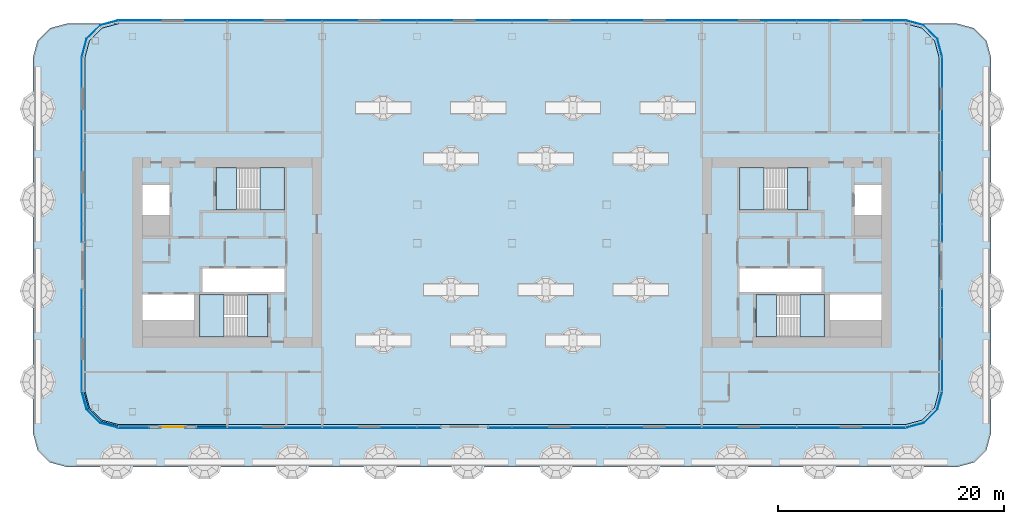
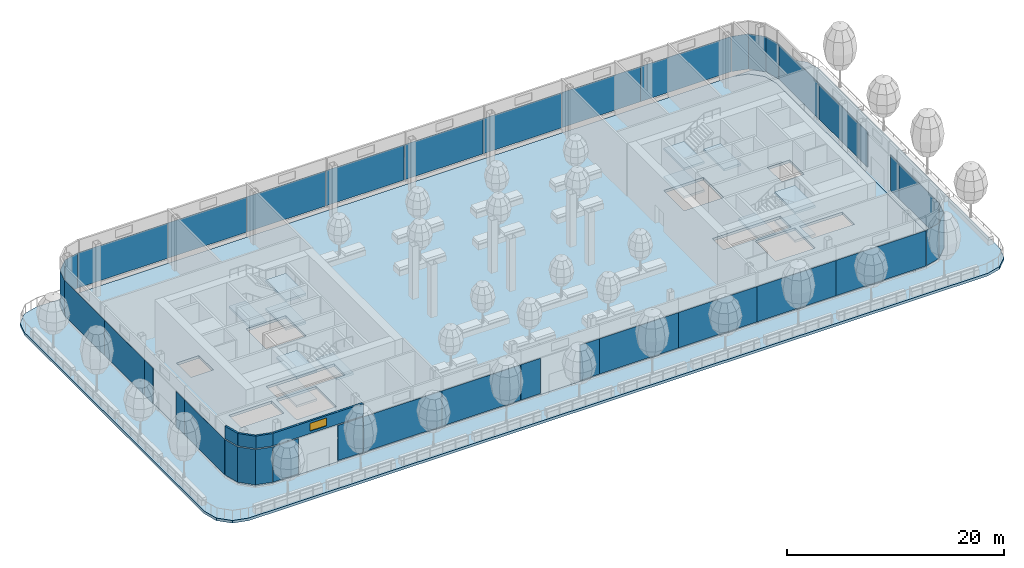
# One storey, part 9 of 41: 32 plates, 14 slabs, 4 walls, 1 window, 1 opening, 12 elements without a shape of their own.
"""IFC4 building model written with IfcOpenShell, lengths in metres."""

from ifc_helpers import new_model, si_unit, direction, frame, frame_2d, origin, origin_2d, place, context, subcontext, project, spatial, polyline, rectangle, outline, extrude, material, layer, layer_set, type_object, element, fill, aggregate, save


model = new_model("IFC4")

# Units and contexts
model_context = context("Model", 3, precision=1e-05, world=origin(), true_north=direction((0.0, 1.0)))
body_context = subcontext(model_context, "Body", "Model", "MODEL_VIEW")
ifc_project = project(units=[si_unit("LENGTHUNIT", "METRE"), si_unit("AREAUNIT", "SQUARE_METRE"), si_unit("VOLUMEUNIT", "CUBIC_METRE"), si_unit("PLANEANGLEUNIT", "RADIAN"), si_unit("MASSUNIT", "GRAM", prefix="KILO")], contexts=[model_context])

# Site, building, storey
site_placement = place(None, origin())
site = spatial("IfcSite", under=ifc_project, at=site_placement, CompositionType="ELEMENT")
building_placement = place(site_placement, origin())
building = spatial("IfcBuilding", under=site, at=building_placement, Name="Hakoniwa Tower and Hamabe Station Hall", CompositionType="ELEMENT")
storey_placement = place(building_placement, frame((0.0, 0.0, 180.199951171875)))
storey = spatial("IfcBuildingStorey", under=building, at=storey_placement, Name="L51", CompositionType="ELEMENT", Elevation=180.199951171875)

# Stair, slabs
ifc_material_1 = material(Name="Concrete C40", Category="concrete")
stair_type = type_object("IfcStairType", Name="ESCAPE STAIR 1800", PredefinedType="HALF_TURN_STAIR", material=ifc_material_1)
stair_1_placement = place(storey_placement, origin())
stair_1 = element("IfcStair", 1, at=stair_1_placement, inside=storey, type_object=stair_type, Name="Escape stair ST-1 L51", PredefinedType="HALF_TURN_STAIR")
ifc_material_2 = material(Name="Concrete C40", Category="concrete")
ifc_layer_1 = layer(ifc_material_2, 0.25)
ifc_layer_set_1 = layer_set([ifc_layer_1], Name="CORE STAIR LANDING 250")
slab_type_1 = type_object("IfcSlabType", Name="CORE STAIR LANDING 250", PredefinedType="LANDING", material=ifc_layer_set_1)
slab_1_placement = place(storey_placement, frame((0.0, 0.0, 1.35009765625)))
slab_1 = element("IfcSlab", 2, at=slab_1_placement, type_object=slab_type_1, Name="ST-1 landing 1", PredefinedType="LANDING", context=body_context, shape_type="SweptSolid", body=[
    extrude(outline(polyline([(-22.320068359375, 3.75), (-20.14990234375, 3.75), (-20.14990234375, 7.5), (-22.320068359375, 7.5), (-22.320068359375, 3.75)])), origin(), (0.0, 0.0, 1.0), 0.25),
])
slab_2_placement = place(storey_placement, frame((0.0, 0.0, 2.949951171875)))
slab_2 = element("IfcSlab", 3, at=slab_2_placement, type_object=slab_type_1, Name="ST-1 landing 2", PredefinedType="LANDING", context=body_context, shape_type="SweptSolid", body=[
    extrude(outline(polyline([(-26.199951171875, 3.75), (-24.39990234375, 3.75), (-24.39990234375, 7.5), (-26.199951171875, 7.5), (-26.199951171875, 3.75)])), origin(), (0.0, 0.0, 1.0), 0.25),
])
slab_3_placement = place(storey_placement, frame((0.0, 0.0, 4.550048828125)))
slab_3 = element("IfcSlab", 4, at=slab_3_placement, type_object=slab_type_1, Name="ST-1 landing 3", PredefinedType="LANDING", context=body_context, shape_type="SweptSolid", body=[
    extrude(outline(polyline([(-22.320068359375, 3.75), (-20.14990234375, 3.75), (-20.14990234375, 7.5), (-22.320068359375, 7.5), (-22.320068359375, 3.75)])), origin(), (0.0, 0.0, 1.0), 0.25),
])
aggregate(stair_1, [slab_1, slab_2, slab_3])

stair_2_placement = place(storey_placement, origin())
stair_2 = element("IfcStair", 5, at=stair_2_placement, inside=storey, type_object=stair_type, Name="Escape stair ST-2 L51", PredefinedType="HALF_TURN_STAIR")
slab_4_placement = place(storey_placement, frame((0.0, 0.0, 1.35009765625)))
slab_4 = element("IfcSlab", 6, at=slab_4_placement, type_object=slab_type_1, Name="ST-2 landing 1", PredefinedType="LANDING", context=body_context, shape_type="SweptSolid", body=[
    extrude(outline(polyline([(-25.47998046875, -7.5), (-27.64990234375, -7.5), (-27.64990234375, -3.75), (-25.47998046875, -3.75), (-25.47998046875, -7.5)])), origin(), (0.0, 0.0, 1.0), 0.25),
])
slab_5_placement = place(storey_placement, frame((0.0, 0.0, 2.949951171875)))
slab_5 = element("IfcSlab", 7, at=slab_5_placement, type_object=slab_type_1, Name="ST-2 landing 2", PredefinedType="LANDING", context=body_context, shape_type="SweptSolid", body=[
    extrude(outline(polyline([(-21.60009765625, -7.5), (-23.39990234375, -7.5), (-23.39990234375, -3.75), (-21.60009765625, -3.75), (-21.60009765625, -7.5)])), origin(), (0.0, 0.0, 1.0), 0.25),
])
slab_6_placement = place(storey_placement, frame((0.0, 0.0, 4.550048828125)))
slab_6 = element("IfcSlab", 8, at=slab_6_placement, type_object=slab_type_1, Name="ST-2 landing 3", PredefinedType="LANDING", context=body_context, shape_type="SweptSolid", body=[
    extrude(outline(polyline([(-25.47998046875, -7.5), (-27.64990234375, -7.5), (-27.64990234375, -3.75), (-25.47998046875, -3.75), (-25.47998046875, -7.5)])), origin(), (0.0, 0.0, 1.0), 0.25),
])
aggregate(stair_2, [slab_4, slab_5, slab_6])

stair_3_placement = place(storey_placement, origin())
stair_3 = element("IfcStair", 9, at=stair_3_placement, inside=storey, type_object=stair_type, Name="Escape stair ST-3 L51", PredefinedType="HALF_TURN_STAIR")
slab_7_placement = place(storey_placement, frame((0.0, 0.0, 1.35009765625)))
slab_7 = element("IfcSlab", 10, at=slab_7_placement, type_object=slab_type_1, Name="ST-3 landing 1", PredefinedType="LANDING", context=body_context, shape_type="SweptSolid", body=[
    extrude(outline(polyline([(22.320068359375, 3.75), (20.14990234375, 3.75), (20.14990234375, 7.5), (22.320068359375, 7.5), (22.320068359375, 3.75)])), origin(), (0.0, 0.0, 1.0), 0.25),
])
slab_8_placement = place(storey_placement, frame((0.0, 0.0, 2.949951171875)))
slab_8 = element("IfcSlab", 11, at=slab_8_placement, type_object=slab_type_1, Name="ST-3 landing 2", PredefinedType="LANDING", context=body_context, shape_type="SweptSolid", body=[
    extrude(outline(polyline([(26.199951171875, 3.75), (24.39990234375, 3.75), (24.39990234375, 7.5), (26.199951171875, 7.5), (26.199951171875, 3.75)])), origin(), (0.0, 0.0, 1.0), 0.25),
])
slab_9_placement = place(storey_placement, frame((0.0, 0.0, 4.550048828125)))
slab_9 = element("IfcSlab", 12, at=slab_9_placement, type_object=slab_type_1, Name="ST-3 landing 3", PredefinedType="LANDING", context=body_context, shape_type="SweptSolid", body=[
    extrude(outline(polyline([(22.320068359375, 3.75), (20.14990234375, 3.75), (20.14990234375, 7.5), (22.320068359375, 7.5), (22.320068359375, 3.75)])), origin(), (0.0, 0.0, 1.0), 0.25),
])
aggregate(stair_3, [slab_7, slab_8, slab_9])

stair_4_placement = place(storey_placement, origin())
stair_4 = element("IfcStair", 13, at=stair_4_placement, inside=storey, type_object=stair_type, Name="Escape stair ST-4 L51", PredefinedType="HALF_TURN_STAIR")
slab_10_placement = place(storey_placement, frame((0.0, 0.0, 1.35009765625)))
slab_10 = element("IfcSlab", 14, at=slab_10_placement, type_object=slab_type_1, Name="ST-4 landing 1", PredefinedType="LANDING", context=body_context, shape_type="SweptSolid", body=[
    extrude(outline(polyline([(25.47998046875, -7.5), (27.64990234375, -7.5), (27.64990234375, -3.75), (25.47998046875, -3.75), (25.47998046875, -7.5)])), origin(), (0.0, 0.0, 1.0), 0.25),
])
slab_11_placement = place(storey_placement, frame((0.0, 0.0, 2.949951171875)))
slab_11 = element("IfcSlab", 15, at=slab_11_placement, type_object=slab_type_1, Name="ST-4 landing 2", PredefinedType="LANDING", context=body_context, shape_type="SweptSolid", body=[
    extrude(outline(polyline([(21.60009765625, -7.5), (23.39990234375, -7.5), (23.39990234375, -3.75), (21.60009765625, -3.75), (21.60009765625, -7.5)])), origin(), (0.0, 0.0, 1.0), 0.25),
])
slab_12_placement = place(storey_placement, frame((0.0, 0.0, 4.550048828125)))
slab_12 = element("IfcSlab", 16, at=slab_12_placement, type_object=slab_type_1, Name="ST-4 landing 3", PredefinedType="LANDING", context=body_context, shape_type="SweptSolid", body=[
    extrude(outline(polyline([(25.47998046875, -7.5), (27.64990234375, -7.5), (27.64990234375, -3.75), (25.47998046875, -3.75), (25.47998046875, -7.5)])), origin(), (0.0, 0.0, 1.0), 0.25),
])
aggregate(stair_4, [slab_10, slab_11, slab_12])

# Curtain wall, plates
ifc_material_3 = material(Name="Dark low-e laminated glass", Category="glass")
ifc_layer_2 = layer(ifc_material_3, 0.199951171875)
ifc_layer_set_2 = layer_set([ifc_layer_2], Name="CW-2 SKY GARDEN")
curtain_wall_type = type_object("IfcCurtainWallType", Name="CW-2 SKY GARDEN", PredefinedType="NOTDEFINED", material=ifc_layer_set_2)
curtain_wall_1_placement = place(storey_placement, origin())
curtain_wall_1 = element("IfcCurtainWall", 17, at=curtain_wall_1_placement, inside=storey, type_object=curtain_wall_type, Name="CW-2 curtain wall", PredefinedType="NOTDEFINED")
ifc_material_4 = material(Name="Dark low-e laminated glass", Category="glass")
ifc_layer_3 = layer(ifc_material_4, 0.031982421875)
ifc_layer_set_3 = layer_set([ifc_layer_3], Name="CW-2 GARDEN GLASS UNIT")
plate_type = type_object("IfcPlateType", Name="CW-2 GARDEN GLASS UNIT", PredefinedType="CURTAIN_PANEL", material=ifc_layer_set_3)
plate_1_placement = place(storey_placement, frame((38.0859375, -8.592041015625, 0.35009765625), z_axis=(0.0, 0.0, 1.0), x_axis=(0.0, 1.0, 0.0)))
plate_1 = element("IfcPlate", 18, at=plate_1_placement, type_object=plate_type, Name="CW-2 glass unit", PredefinedType="CURTAIN_PANEL", context=body_context, shape_type="SweptSolid", body=[
    extrude(rectangle(XDim=7.374755859375, YDim=0.031982421875, at=origin_2d()), origin(), (0.0, 0.0, 1.0), 3.97998046875),
])
plate_2_placement = place(storey_placement, frame((38.0859375, -4.095947265625, 0.35009765625), z_axis=(0.0, 0.0, 1.0), x_axis=(0.0, 1.0, 0.0)))
plate_2 = element("IfcPlate", 19, at=plate_2_placement, type_object=plate_type, Name="CW-2 glass unit", PredefinedType="CURTAIN_PANEL", context=body_context, shape_type="SweptSolid", body=[
    extrude(rectangle(XDim=1.577392578125, YDim=0.031982421875, at=origin_2d()), origin(), (0.0, 0.0, 1.0), 3.97998046875),
])
plate_3_placement = place(storey_placement, frame((38.0859375, 1.701416015625, 0.35009765625), z_axis=(0.0, 0.0, 1.0), x_axis=(0.0, 1.0, 0.0)))
plate_3 = element("IfcPlate", 20, at=plate_3_placement, type_object=plate_type, Name="CW-2 glass unit", PredefinedType="CURTAIN_PANEL", context=body_context, shape_type="SweptSolid", body=[
    extrude(rectangle(XDim=1.577392578125, YDim=0.031982421875, at=origin_2d()), origin(), (0.0, 0.0, 1.0), 3.97998046875),
])
plate_4_placement = place(storey_placement, frame((38.0859375, 6.197265625, 0.35009765625), z_axis=(0.0, 0.0, 1.0), x_axis=(0.0, 1.0, 0.0)))
plate_4 = element("IfcPlate", 21, at=plate_4_placement, type_object=plate_type, Name="CW-2 glass unit", PredefinedType="CURTAIN_PANEL", context=body_context, shape_type="SweptSolid", body=[
    extrude(rectangle(XDim=7.374755859375, YDim=0.031982421875, at=origin_2d()), origin(), (0.0, 0.0, 1.0), 3.97998046875),
])
plate_5_placement = place(storey_placement, frame((38.0859375, 13.592041015625, 0.35009765625), z_axis=(0.0, 0.0, 1.0), x_axis=(0.0, 1.0, 0.0)))
plate_5 = element("IfcPlate", 22, at=plate_5_placement, type_object=plate_type, Name="CW-2 glass unit", PredefinedType="CURTAIN_PANEL", context=body_context, shape_type="SweptSolid", body=[
    extrude(rectangle(XDim=7.374755859375, YDim=0.031982421875, at=origin_2d()), origin(), (0.0, 0.0, 1.0), 3.97998046875),
])
aggregate(curtain_wall_1, [plate_1, plate_2, plate_3, plate_4, plate_5])

# Curtain wall, plate
curtain_wall_2_placement = place(storey_placement, origin())
curtain_wall_2 = element("IfcCurtainWall", 23, at=curtain_wall_2_placement, inside=storey, type_object=curtain_wall_type, Name="CW-2 curtain wall", PredefinedType="NOTDEFINED")
plate_6_placement = place(storey_placement, frame((0.0, 0.0, 0.35009765625)))
plate_6 = element("IfcPlate", 24, at=plate_6_placement, type_object=plate_type, Name="CW-2 curved corner unit", PredefinedType="CURTAIN_PANEL", context=body_context, shape_type="SweptSolid", body=[
    extrude(outline(polyline([(38.089599609375, 17.328125), (37.6669921875, 18.9052734375), (36.455322265625, 20.116943359375), (34.878173828125, 20.53955078125), (34.870849609375, 20.5126953125), (36.44091796875, 20.092041015625), (37.641845703125, 18.890869140625), (38.0625, 17.32080078125), (38.089599609375, 17.328125)])), origin(), (0.0, 0.0, 1.0), 3.97998046875),
])
aggregate(curtain_wall_2, [plate_6])

# Curtain wall, plates
curtain_wall_3_placement = place(storey_placement, origin())
curtain_wall_3 = element("IfcCurtainWall", 25, at=curtain_wall_3_placement, inside=storey, type_object=curtain_wall_type, Name="CW-2 curtain wall", PredefinedType="NOTDEFINED")
plate_7_placement = place(storey_placement, frame((30.019775390625, 20.535888671875, 0.35009765625), z_axis=(0.0, 0.0, 1.0), x_axis=(-1.0, 0.0, 0.0)))
plate_7 = element("IfcPlate", 26, at=plate_7_placement, type_object=plate_type, Name="CW-2 glass unit", PredefinedType="CURTAIN_PANEL", context=body_context, shape_type="SweptSolid", body=[
    extrude(rectangle(XDim=9.619384765625, YDim=0.031982421875, at=origin_2d()), origin(), (0.0, 0.0, 1.0), 3.97998046875),
])
plate_8_placement = place(storey_placement, frame((21.0, 20.535888671875, 0.35009765625), z_axis=(0.0, 0.0, 1.0), x_axis=(-1.0, 0.0, 0.0)))
plate_8 = element("IfcPlate", 27, at=plate_8_placement, type_object=plate_type, Name="CW-2 glass unit", PredefinedType="CURTAIN_PANEL", context=body_context, shape_type="SweptSolid", body=[
    extrude(rectangle(XDim=8.3798828125, YDim=0.031982421875, at=origin_2d()), origin(), (0.0, 0.0, 1.0), 3.97998046875),
])
plate_9_placement = place(storey_placement, frame((12.60009765625, 20.535888671875, 0.35009765625), z_axis=(0.0, 0.0, 1.0), x_axis=(-1.0, 0.0, 0.0)))
plate_9 = element("IfcPlate", 28, at=plate_9_placement, type_object=plate_type, Name="CW-2 glass unit", PredefinedType="CURTAIN_PANEL", context=body_context, shape_type="SweptSolid", body=[
    extrude(rectangle(XDim=8.3798828125, YDim=0.031982421875, at=origin_2d()), origin(), (0.0, 0.0, 1.0), 3.97998046875),
])
plate_10_placement = place(storey_placement, frame((4.199951171875, 20.535888671875, 0.35009765625), z_axis=(0.0, 0.0, 1.0), x_axis=(-1.0, 0.0, 0.0)))
plate_10 = element("IfcPlate", 29, at=plate_10_placement, type_object=plate_type, Name="CW-2 glass unit", PredefinedType="CURTAIN_PANEL", context=body_context, shape_type="SweptSolid", body=[
    extrude(rectangle(XDim=8.3798828125, YDim=0.031982421875, at=origin_2d()), origin(), (0.0, 0.0, 1.0), 3.97998046875),
])
plate_11_placement = place(storey_placement, frame((-4.199951171875, 20.535888671875, 0.35009765625), z_axis=(0.0, 0.0, 1.0), x_axis=(-1.0, 0.0, 0.0)))
plate_11 = element("IfcPlate", 30, at=plate_11_placement, type_object=plate_type, Name="CW-2 glass unit", PredefinedType="CURTAIN_PANEL", context=body_context, shape_type="SweptSolid", body=[
    extrude(rectangle(XDim=8.3798828125, YDim=0.031982421875, at=origin_2d()), origin(), (0.0, 0.0, 1.0), 3.97998046875),
])
plate_12_placement = place(storey_placement, frame((-12.60009765625, 20.535888671875, 0.35009765625), z_axis=(0.0, 0.0, 1.0), x_axis=(-1.0, 0.0, 0.0)))
plate_12 = element("IfcPlate", 31, at=plate_12_placement, type_object=plate_type, Name="CW-2 glass unit", PredefinedType="CURTAIN_PANEL", context=body_context, shape_type="SweptSolid", body=[
    extrude(rectangle(XDim=8.3798828125, YDim=0.031982421875, at=origin_2d()), origin(), (0.0, 0.0, 1.0), 3.97998046875),
])
plate_13_placement = place(storey_placement, frame((-21.0, 20.535888671875, 0.35009765625), z_axis=(0.0, 0.0, 1.0), x_axis=(-1.0, 0.0, 0.0)))
plate_13 = element("IfcPlate", 32, at=plate_13_placement, type_object=plate_type, Name="CW-2 glass unit", PredefinedType="CURTAIN_PANEL", context=body_context, shape_type="SweptSolid", body=[
    extrude(rectangle(XDim=8.3798828125, YDim=0.031982421875, at=origin_2d()), origin(), (0.0, 0.0, 1.0), 3.97998046875),
])
plate_14_placement = place(storey_placement, frame((-30.019775390625, 20.535888671875, 0.35009765625), z_axis=(0.0, 0.0, 1.0), x_axis=(-1.0, 0.0, 0.0)))
plate_14 = element("IfcPlate", 33, at=plate_14_placement, type_object=plate_type, Name="CW-2 glass unit", PredefinedType="CURTAIN_PANEL", context=body_context, shape_type="SweptSolid", body=[
    extrude(rectangle(XDim=9.619384765625, YDim=0.031982421875, at=origin_2d()), origin(), (0.0, 0.0, 1.0), 3.97998046875),
])
aggregate(curtain_wall_3, [plate_7, plate_8, plate_9, plate_10, plate_11, plate_12, plate_13, plate_14])

# Curtain wall, plate
curtain_wall_4_placement = place(storey_placement, origin())
curtain_wall_4 = element("IfcCurtainWall", 34, at=curtain_wall_4_placement, inside=storey, type_object=curtain_wall_type, Name="CW-2 curtain wall", PredefinedType="NOTDEFINED")
plate_15_placement = place(storey_placement, frame((0.0, 0.0, 0.35009765625)))
plate_15 = element("IfcPlate", 35, at=plate_15_placement, type_object=plate_type, Name="CW-2 curved corner unit", PredefinedType="CURTAIN_PANEL", context=body_context, shape_type="SweptSolid", body=[
    extrude(outline(polyline([(-34.878173828125, 20.53955078125), (-36.455322265625, 20.116943359375), (-37.6669921875, 18.9052734375), (-38.089599609375, 17.328125), (-38.0625, 17.32080078125), (-37.641845703125, 18.890869140625), (-36.44091796875, 20.092041015625), (-34.870849609375, 20.5126953125), (-34.878173828125, 20.53955078125)])), origin(), (0.0, 0.0, 1.0), 3.97998046875),
])
aggregate(curtain_wall_4, [plate_15])

# Curtain wall, plates
curtain_wall_5_placement = place(storey_placement, origin())
curtain_wall_5 = element("IfcCurtainWall", 36, at=curtain_wall_5_placement, inside=storey, type_object=curtain_wall_type, Name="CW-2 curtain wall", PredefinedType="NOTDEFINED")
plate_16_placement = place(storey_placement, frame((-38.0859375, 13.592041015625, 0.35009765625), z_axis=(0.0, 0.0, 1.0), x_axis=(0.0, -1.0, 0.0)))
plate_16 = element("IfcPlate", 37, at=plate_16_placement, type_object=plate_type, Name="CW-2 glass unit", PredefinedType="CURTAIN_PANEL", context=body_context, shape_type="SweptSolid", body=[
    extrude(rectangle(XDim=7.374755859375, YDim=0.031982421875, at=origin_2d()), origin(), (0.0, 0.0, 1.0), 3.97998046875),
])
plate_17_placement = place(storey_placement, frame((-38.0859375, 6.197265625, 0.35009765625), z_axis=(0.0, 0.0, 1.0), x_axis=(0.0, -1.0, 0.0)))
plate_17 = element("IfcPlate", 38, at=plate_17_placement, type_object=plate_type, Name="CW-2 glass unit", PredefinedType="CURTAIN_PANEL", context=body_context, shape_type="SweptSolid", body=[
    extrude(rectangle(XDim=7.374755859375, YDim=0.031982421875, at=origin_2d()), origin(), (0.0, 0.0, 1.0), 3.97998046875),
])
plate_18_placement = place(storey_placement, frame((-38.0859375, 1.701416015625, 0.35009765625), z_axis=(0.0, 0.0, 1.0), x_axis=(0.0, -1.0, 0.0)))
plate_18 = element("IfcPlate", 39, at=plate_18_placement, type_object=plate_type, Name="CW-2 glass unit", PredefinedType="CURTAIN_PANEL", context=body_context, shape_type="SweptSolid", body=[
    extrude(rectangle(XDim=1.577392578125, YDim=0.031982421875, at=origin_2d()), origin(), (0.0, 0.0, 1.0), 3.97998046875),
])
plate_19_placement = place(storey_placement, frame((-38.0859375, -4.095947265625, 0.35009765625), z_axis=(0.0, 0.0, 1.0), x_axis=(0.0, -1.0, 0.0)))
plate_19 = element("IfcPlate", 40, at=plate_19_placement, type_object=plate_type, Name="CW-2 glass unit", PredefinedType="CURTAIN_PANEL", context=body_context, shape_type="SweptSolid", body=[
    extrude(rectangle(XDim=1.577392578125, YDim=0.031982421875, at=origin_2d()), origin(), (0.0, 0.0, 1.0), 3.97998046875),
])
plate_20_placement = place(storey_placement, frame((-38.0859375, -8.592041015625, 0.35009765625), z_axis=(0.0, 0.0, 1.0), x_axis=(0.0, -1.0, 0.0)))
plate_20 = element("IfcPlate", 41, at=plate_20_placement, type_object=plate_type, Name="CW-2 glass unit", PredefinedType="CURTAIN_PANEL", context=body_context, shape_type="SweptSolid", body=[
    extrude(rectangle(XDim=7.374755859375, YDim=0.031982421875, at=origin_2d()), origin(), (0.0, 0.0, 1.0), 3.97998046875),
])
aggregate(curtain_wall_5, [plate_16, plate_17, plate_18, plate_19, plate_20])

# Curtain wall, plate
curtain_wall_6_placement = place(storey_placement, origin())
curtain_wall_6 = element("IfcCurtainWall", 42, at=curtain_wall_6_placement, inside=storey, type_object=curtain_wall_type, Name="CW-2 curtain wall", PredefinedType="NOTDEFINED")
plate_21_placement = place(storey_placement, frame((0.0, 0.0, 0.35009765625)))
plate_21 = element("IfcPlate", 43, at=plate_21_placement, type_object=plate_type, Name="CW-2 curved corner unit", PredefinedType="CURTAIN_PANEL", context=body_context, shape_type="SweptSolid", body=[
    extrude(outline(polyline([(-38.089599609375, -12.328125), (-37.6669921875, -13.9052734375), (-36.455322265625, -15.116943359375), (-34.878173828125, -15.53955078125), (-34.870849609375, -15.5126953125), (-36.44091796875, -15.092041015625), (-37.641845703125, -13.890869140625), (-38.0625, -12.32080078125), (-38.089599609375, -12.328125)])), origin(), (0.0, 0.0, 1.0), 3.97998046875),
])

# Curtain wall, plates
curtain_wall_7_placement = place(storey_placement, origin())
curtain_wall_7 = element("IfcCurtainWall", 44, at=curtain_wall_7_placement, inside=storey, type_object=curtain_wall_type, Name="CW-2 curtain wall", PredefinedType="NOTDEFINED")
plate_22_placement = place(storey_placement, frame((-33.479736328125, -15.535888671875, 0.35009765625), z_axis=(0.0, 0.0, 1.0), x_axis=(1.0, 0.0, 0.0)))
plate_22 = element("IfcPlate", 45, at=plate_22_placement, type_object=plate_type, Name="CW-2 glass unit", PredefinedType="CURTAIN_PANEL", context=body_context, shape_type="SweptSolid", body=[
    extrude(rectangle(XDim=2.69970703125, YDim=0.031982421875, at=origin_2d()), origin(), (0.0, 0.0, 1.0), 3.97998046875),
])
plate_23_placement = place(storey_placement, frame((-26.559814453125, -15.535888671875, 0.35009765625), z_axis=(0.0, 0.0, 1.0), x_axis=(1.0, 0.0, 0.0)))
plate_23 = element("IfcPlate", 46, at=plate_23_placement, type_object=plate_type, Name="CW-2 glass unit", PredefinedType="CURTAIN_PANEL", context=body_context, shape_type="SweptSolid", body=[
    extrude(rectangle(XDim=2.69970703125, YDim=0.031982421875, at=origin_2d()), origin(), (0.0, 0.0, 1.0), 3.97998046875),
])
plate_24_placement = place(storey_placement, frame((-21.0, -15.535888671875, 0.35009765625), z_axis=(0.0, 0.0, 1.0), x_axis=(1.0, 0.0, 0.0)))
plate_24 = element("IfcPlate", 47, at=plate_24_placement, type_object=plate_type, Name="CW-2 glass unit", PredefinedType="CURTAIN_PANEL", context=body_context, shape_type="SweptSolid", body=[
    extrude(rectangle(XDim=8.3798828125, YDim=0.031982421875, at=origin_2d()), origin(), (0.0, 0.0, 1.0), 3.97998046875),
])
plate_25_placement = place(storey_placement, frame((-12.60009765625, -15.535888671875, 0.35009765625), z_axis=(0.0, 0.0, 1.0), x_axis=(1.0, 0.0, 0.0)))
plate_25 = element("IfcPlate", 48, at=plate_25_placement, type_object=plate_type, Name="CW-2 glass unit", PredefinedType="CURTAIN_PANEL", context=body_context, shape_type="SweptSolid", body=[
    extrude(rectangle(XDim=8.3798828125, YDim=0.031982421875, at=origin_2d()), origin(), (0.0, 0.0, 1.0), 3.97998046875),
])
plate_26_placement = place(storey_placement, frame((-7.35009765625, -15.535888671875, 0.35009765625), z_axis=(0.0, 0.0, 1.0), x_axis=(1.0, 0.0, 0.0)))
plate_26 = element("IfcPlate", 49, at=plate_26_placement, type_object=plate_type, Name="CW-2 glass unit", PredefinedType="CURTAIN_PANEL", context=body_context, shape_type="SweptSolid", body=[
    extrude(rectangle(XDim=2.080078125, YDim=0.031982421875, at=origin_2d()), origin(), (0.0, 0.0, 1.0), 3.97998046875),
])
plate_27_placement = place(storey_placement, frame((-1.050048828125, -15.535888671875, 0.35009765625), z_axis=(0.0, 0.0, 1.0), x_axis=(1.0, 0.0, 0.0)))
plate_27 = element("IfcPlate", 50, at=plate_27_placement, type_object=plate_type, Name="CW-2 glass unit", PredefinedType="CURTAIN_PANEL", context=body_context, shape_type="SweptSolid", body=[
    extrude(rectangle(XDim=2.080078125, YDim=0.031982421875, at=origin_2d()), origin(), (0.0, 0.0, 1.0), 3.97998046875),
])
plate_28_placement = place(storey_placement, frame((4.199951171875, -15.535888671875, 0.35009765625), z_axis=(0.0, 0.0, 1.0), x_axis=(1.0, 0.0, 0.0)))
plate_28 = element("IfcPlate", 51, at=plate_28_placement, type_object=plate_type, Name="CW-2 glass unit", PredefinedType="CURTAIN_PANEL", context=body_context, shape_type="SweptSolid", body=[
    extrude(rectangle(XDim=8.3798828125, YDim=0.031982421875, at=origin_2d()), origin(), (0.0, 0.0, 1.0), 3.97998046875),
])
plate_29_placement = place(storey_placement, frame((12.60009765625, -15.535888671875, 0.35009765625), z_axis=(0.0, 0.0, 1.0), x_axis=(1.0, 0.0, 0.0)))
plate_29 = element("IfcPlate", 52, at=plate_29_placement, type_object=plate_type, Name="CW-2 glass unit", PredefinedType="CURTAIN_PANEL", context=body_context, shape_type="SweptSolid", body=[
    extrude(rectangle(XDim=8.3798828125, YDim=0.031982421875, at=origin_2d()), origin(), (0.0, 0.0, 1.0), 3.97998046875),
])
plate_30_placement = place(storey_placement, frame((21.0, -15.535888671875, 0.35009765625), z_axis=(0.0, 0.0, 1.0), x_axis=(1.0, 0.0, 0.0)))
plate_30 = element("IfcPlate", 53, at=plate_30_placement, type_object=plate_type, Name="CW-2 glass unit", PredefinedType="CURTAIN_PANEL", context=body_context, shape_type="SweptSolid", body=[
    extrude(rectangle(XDim=8.3798828125, YDim=0.031982421875, at=origin_2d()), origin(), (0.0, 0.0, 1.0), 3.97998046875),
])
plate_31_placement = place(storey_placement, frame((30.019775390625, -15.535888671875, 0.35009765625), z_axis=(0.0, 0.0, 1.0), x_axis=(1.0, 0.0, 0.0)))
plate_31 = element("IfcPlate", 54, at=plate_31_placement, type_object=plate_type, Name="CW-2 glass unit", PredefinedType="CURTAIN_PANEL", context=body_context, shape_type="SweptSolid", body=[
    extrude(rectangle(XDim=9.619384765625, YDim=0.031982421875, at=origin_2d()), origin(), (0.0, 0.0, 1.0), 3.97998046875),
])

# Curtain wall, plate
curtain_wall_8_placement = place(storey_placement, origin())
curtain_wall_8 = element("IfcCurtainWall", 55, at=curtain_wall_8_placement, inside=storey, type_object=curtain_wall_type, Name="CW-2 curtain wall", PredefinedType="NOTDEFINED")
plate_32_placement = place(storey_placement, frame((0.0, 0.0, 0.35009765625)))
plate_32 = element("IfcPlate", 56, at=plate_32_placement, type_object=plate_type, Name="CW-2 curved corner unit", PredefinedType="CURTAIN_PANEL", context=body_context, shape_type="SweptSolid", body=[
    extrude(outline(polyline([(34.878173828125, -15.53955078125), (36.455322265625, -15.116943359375), (37.6669921875, -13.9052734375), (38.089599609375, -12.328125), (38.0625, -12.32080078125), (37.641845703125, -13.890869140625), (36.44091796875, -15.092041015625), (34.870849609375, -15.5126953125), (34.878173828125, -15.53955078125)])), origin(), (0.0, 0.0, 1.0), 3.97998046875),
])
aggregate(curtain_wall_8, [plate_32])

# Slabs
ifc_material_5 = material(Name="Concrete C40", Category="concrete")
ifc_layer_4 = layer(ifc_material_5, 0.300048828125)
ifc_layer_set_4 = layer_set([ifc_layer_4], Name="GARDEN FLOOR SLAB 300")
slab_type_2 = type_object("IfcSlabType", Name="GARDEN FLOOR SLAB 300", PredefinedType="FLOOR", material=ifc_layer_set_4)
slab_13_placement = place(storey_placement, frame((0.0, 0.0, -0.300048828125)))
element("IfcSlab", 57, at=slab_13_placement, inside=storey, type_object=slab_type_2, Name="Floor slab L51", PredefinedType="FLOOR", context=body_context, shape_type="SweptSolid", body=[
    extrude(outline(polyline([(37.800048828125, -12.25), (37.800048828125, 17.25), (37.398193359375, 18.75), (36.300048828125, 19.84814453125), (34.800048828125, 20.25), (-34.800048828125, 20.25), (-36.300048828125, 19.84814453125), (-37.398193359375, 18.75), (-37.800048828125, 17.25), (-37.800048828125, -12.25), (-37.398193359375, -13.75), (-36.300048828125, -14.84814453125), (-34.800048828125, -15.25), (34.800048828125, -15.25), (36.300048828125, -14.84814453125), (37.398193359375, -13.75), (37.800048828125, -12.25)]), holes=[polyline([(-27.39990234375, -3.5), (-27.39990234375, -1.449951171875), (-20.14990234375, -1.449951171875), (-20.14990234375, -3.5), (-27.39990234375, -3.5)]), polyline([(-32.699951171875, 3.300048828125), (-32.699951171875, 5.949951171875), (-30.300048828125, 5.949951171875), (-30.300048828125, 3.300048828125), (-32.699951171875, 3.300048828125)]), polyline([(-32.699951171875, -6.0), (-32.699951171875, -3.75), (-28.14990234375, -3.75), (-28.14990234375, -6.0), (-32.699951171875, -6.0)]), polyline([(-24.389892578125, 3.75), (-24.389892578125, 7.5), (-20.14990234375, 7.5), (-20.14990234375, 3.75), (-24.389892578125, 3.75)]), polyline([(-27.64990234375, -7.5), (-27.64990234375, -3.75), (-23.409912109375, -3.75), (-23.409912109375, -7.5), (-27.64990234375, -7.5)]), polyline([(20.14990234375, -3.5), (20.14990234375, -1.449951171875), (27.39990234375, -1.449951171875), (27.39990234375, -3.5), (20.14990234375, -3.5)]), polyline([(30.300048828125, 3.300048828125), (30.300048828125, 5.949951171875), (32.699951171875, 5.949951171875), (32.699951171875, 3.300048828125), (30.300048828125, 3.300048828125)]), polyline([(28.14990234375, -6.0), (28.14990234375, -3.75), (32.699951171875, -3.75), (32.699951171875, -6.0), (28.14990234375, -6.0)]), polyline([(20.14990234375, 3.75), (20.14990234375, 7.5), (24.389892578125, 7.5), (24.389892578125, 3.75), (20.14990234375, 3.75)]), polyline([(23.409912109375, -7.5), (23.409912109375, -3.75), (27.64990234375, -3.75), (27.64990234375, -7.5), (23.409912109375, -7.5)])]), origin(), (0.0, 0.0, 1.0), 0.300048828125),
])
ifc_material_6 = material(Name="Concrete C40", Category="concrete")
ifc_layer_5 = layer(ifc_material_6, 0.300048828125)
ifc_layer_set_5 = layer_set([ifc_layer_5], Name="TERRACE SLAB 300")
slab_type_3 = type_object("IfcSlabType", Name="TERRACE SLAB 300", PredefinedType="FLOOR", material=ifc_layer_set_5)
slab_14_placement = place(storey_placement, frame((0.0, 0.0, -0.300048828125)))
element("IfcSlab", 58, at=slab_14_placement, inside=storey, type_object=slab_type_3, Name="Terrace slab L51-1", PredefinedType="FLOOR", context=body_context, shape_type="SweptSolid", body=[
    extrude(outline(polyline([(-37.398193359375, -13.75), (-37.800048828125, -12.25), (-37.800048828125, 17.25), (-37.398193359375, 18.75), (-36.300048828125, 19.84814453125), (-34.8037109375, 20.2490234375), (-34.802978515625, 20.25), (-34.8037109375, 20.2509765625), (-39.400146484375, 20.2509765625), (-40.900390625, 19.84912109375), (-41.998779296875, 18.75048828125), (-42.40087890625, 17.250244140625), (-42.40087890625, -16.0), (-41.998779296875, -17.50048828125), (-40.900390625, -18.59912109375), (-39.39990234375, -19.0009765625), (39.39990234375, -19.0009765625), (40.900390625, -18.59912109375), (41.998779296875, -17.50048828125), (42.40087890625, -16.0), (42.40087890625, 17.25), (41.9990234375, 18.75048828125), (40.900390625, 19.848876953125), (39.400146484375, 20.2509765625), (34.803955078125, 20.2509765625), (34.802978515625, 20.250244140625), (34.8037109375, 20.2490234375), (36.300048828125, 19.84814453125), (37.398193359375, 18.75), (37.800048828125, 17.25), (37.800048828125, -12.25), (37.398193359375, -13.75), (36.300048828125, -14.84814453125), (34.800048828125, -15.25), (-34.800048828125, -15.25), (-36.300048828125, -14.84814453125), (-37.398193359375, -13.75)])), origin(), (0.0, 0.0, 1.0), 0.300048828125),
])

# Wall
ifc_material_7 = material(Name="Dark glass-faced aluminium panel", Category="aluminium")
ifc_layer_6 = layer(ifc_material_7, 0.199951171875)
ifc_layer_set_6 = layer_set([ifc_layer_6], Name="VENT BAND WALL")
wall_type = type_object("IfcWallType", Name="VENT BAND WALL", PredefinedType="NOTDEFINED", material=ifc_layer_set_6)
wall_1_placement = place(storey_placement, frame((-37.99560546875, -12.29248046875, 4.449951171875), z_axis=(0.0, 0.0, 1.0), x_axis=(0.258726180971, -0.965950704374, 0.0)))
wall_1 = element("IfcWall", 59, at=wall_1_placement, type_object=wall_type, Name="Vent band wall", PredefinedType="NOTDEFINED", context=body_context, shape_type="SweptSolid", body=[
    extrude(rectangle(XDim=1.642822265625, YDim=0.199951171875, at=frame_2d((0.8212890625, 0.0))), origin(), (0.0, 0.0, 1.0), 1.400146484375),
])

wall_2_placement = place(storey_placement, frame((-37.570556640625, -13.87939453125, 4.449951171875), z_axis=(0.0, 0.0, 1.0), x_axis=(0.70717800826, -0.707035546937, 0.0)))
wall_2 = element("IfcWall", 60, at=wall_2_placement, type_object=wall_type, Name="Vent band wall", PredefinedType="NOTDEFINED", context=body_context, shape_type="SweptSolid", body=[
    extrude(rectangle(XDim=1.713623046875, YDim=0.199951171875, at=frame_2d((0.85693359375, 0.0))), origin(), (0.0, 0.0, 1.0), 1.400146484375),
])

wall_3_placement = place(storey_placement, frame((-36.384521484375, -15.04638671875, 4.449951171875), z_axis=(0.0, 0.0, 1.0), x_axis=(0.965940754539, -0.258763325689, 0.0)))
wall_3 = element("IfcWall", 61, at=wall_3_placement, type_object=wall_type, Name="Vent band wall", PredefinedType="NOTDEFINED", context=body_context, shape_type="SweptSolid", body=[
    extrude(rectangle(XDim=1.642578125, YDim=0.199951171875, at=frame_2d((0.8212890625, 0.0))), origin(), (0.0, 0.0, 1.0), 1.400146484375),
])

aggregate(curtain_wall_6, [plate_21, wall_1, wall_2, wall_3])

# Wall, opening, window
wall_4_placement = place(storey_placement, frame((-34.8095703125, -15.449951171875, 4.449951171875), z_axis=(0.0, 0.0, 1.0), x_axis=(1.0, 0.0, 0.0)))
wall_4 = element("IfcWall", 62, at=wall_4_placement, type_object=wall_type, Name="Vent band wall", PredefinedType="NOTDEFINED", context=body_context, shape_type="SweptSolid", body=[
    extrude(rectangle(XDim=9.609619140625, YDim=0.199951171875, at=frame_2d((4.8046875, 0.0))), origin(), (0.0, 0.0, 1.0), 1.400146484375),
])
opening_placement = place(wall_4_placement, frame((3.90478515625, 0.0, 0.25)))
opening = element("IfcOpeningElement", 63, at=opening_placement, cuts=wall_4, Name="Opening VW-1", PredefinedType="OPENING", context=body_context, shape_type="SweptSolid", body=[
    extrude(rectangle(XDim=1.800048828125, YDim=0.89990234375, at=frame_2d((0.89990234375, 0.449951171875))), frame((0.0, 0.10986328125, 0.0), z_axis=(0.0, -1.0, 0.0), x_axis=(1.0, 0.0, 0.0)), (0.0, 0.0, 1.0), 0.219970703125),
])
ifc_material_8 = material(Name="Dark low-e laminated glass", Category="glass")
window_type = type_object("IfcWindowType", Name="VENT WINDOW 1800X900", PartitioningType="SINGLE_PANEL", PredefinedType="WINDOW", material=ifc_material_8)
window_placement = place(opening_placement, origin())
window = element("IfcWindow", 64, at=window_placement, inside=storey, type_object=window_type, Name="Vent window", OverallHeight=0.89990234375, OverallWidth=1.800048828125, PartitioningType="SINGLE_PANEL", PredefinedType="WINDOW", context=body_context, shape_type="SweptSolid", body=[
    extrude(rectangle(XDim=1.800048828125, YDim=0.89990234375, at=frame_2d((0.89990234375, 0.449951171875))), frame((0.0, 0.030029296875, 0.0), z_axis=(0.0, -1.0, 0.0), x_axis=(1.0, 0.0, 0.0)), (0.0, 0.0, 1.0), 0.06005859375),
])
fill(opening, window)

aggregate(curtain_wall_7, [plate_22, plate_23, plate_24, plate_25, plate_26, plate_27, plate_28, plate_29, plate_30, plate_31, wall_4])

save(model, "model.ifc")
